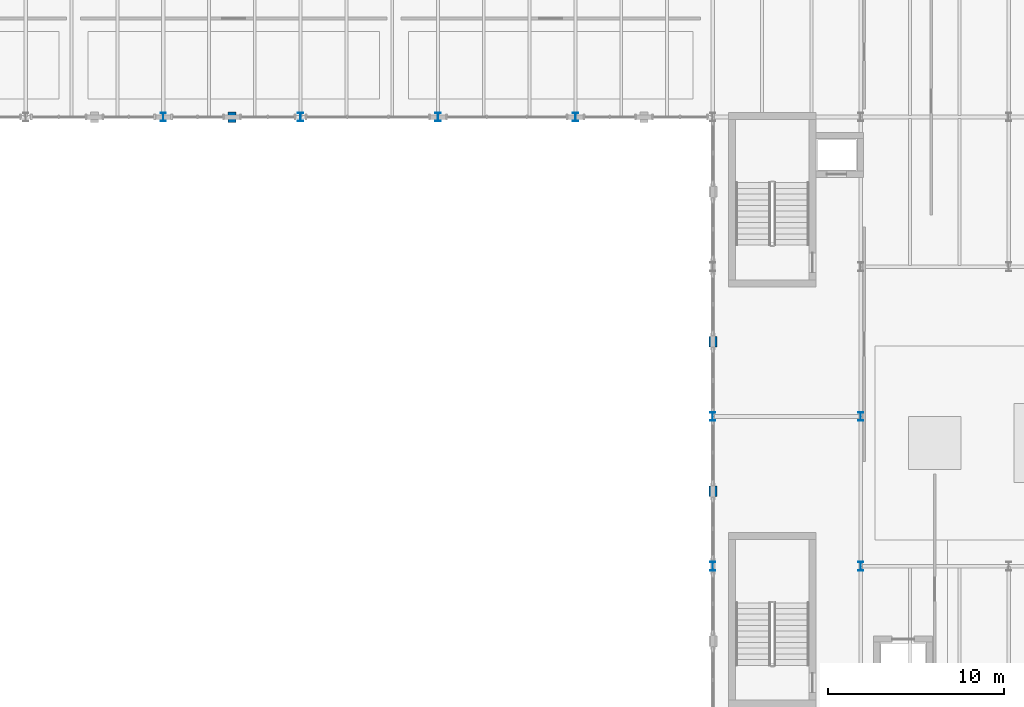
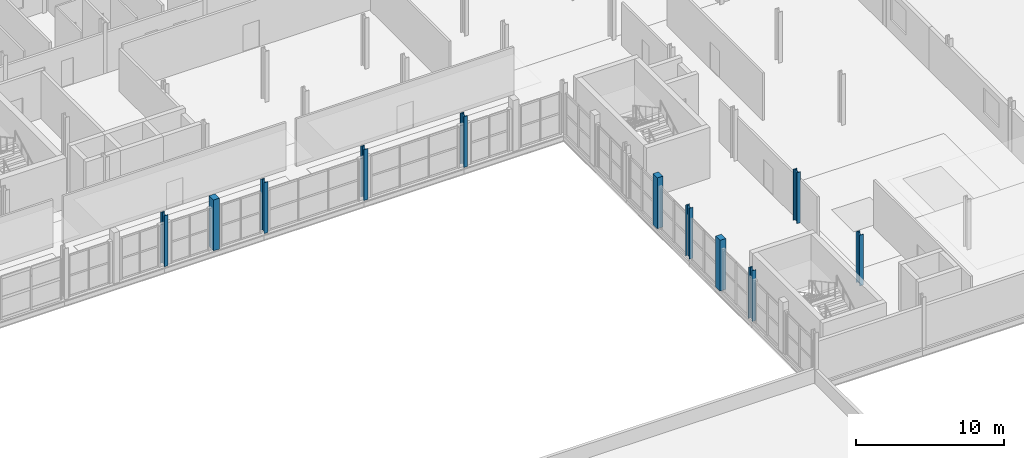
# One storey, part 6 of 58: 11 columns.
"""IFC4 building model written with IfcOpenShell, lengths in metres."""

from ifc_helpers import new_model, si_unit, direction, frame, origin, origin_2d, place, context, subcontext, project, spatial, rectangle, i_section, extrude, material, material_profile, profile_set, type_object, element, save


model = new_model("IFC4")

# Units and contexts
model_context = context("Model", 3, precision=1e-05, world=origin(), true_north=direction((0.0, 1.0)))
body_context = subcontext(model_context, "Body", "Model", "MODEL_VIEW")
ifc_project = project(units=[si_unit("LENGTHUNIT", "METRE"), si_unit("AREAUNIT", "SQUARE_METRE"), si_unit("VOLUMEUNIT", "CUBIC_METRE"), si_unit("PLANEANGLEUNIT", "RADIAN"), si_unit("MASSUNIT", "GRAM", prefix="KILO")], contexts=[model_context])

# Site, building, storey
site_placement = place(None, origin())
site = spatial("IfcSite", under=ifc_project, at=site_placement, CompositionType="ELEMENT")
building_placement = place(site_placement, origin())
building = spatial("IfcBuilding", under=site, at=building_placement, Name="Sefraquen Railside Congress Hotel", CompositionType="ELEMENT")
storey_placement = place(building_placement, frame((0.0, 0.0, 16.199951171875)))
storey = spatial("IfcBuildingStorey", under=building, at=storey_placement, Name="L03", CompositionType="ELEMENT", Elevation=16.199951171875)

# Columns
ifc_material_1 = material(Name="Steel S355JR", Category="steel")
ifc_material_profile_1 = material_profile(ifc_material_1, i_section(OverallWidth=0.300048828125, OverallDepth=0.5, WebThickness=0.014404296875, FlangeThickness=0.028076171875, FilletRadius=0.027099609375, at=origin_2d()), Name="HEB 500")
ifc_profile_set_1 = profile_set([ifc_material_profile_1], Name="Steel S355JR")
column_type_1 = type_object("IfcColumnType", Name="TC-HEB-500", PredefinedType="COLUMN", material=ifc_profile_set_1)
for number, where, z_axis, x_axis, name in (
    (1, (72.0, 88.0, 0.0), (0.0, 0.0, 1.0), (1.0, 0.0, 0.0), "Structural column 10-L L03"),
    (2, (79.800048828125, 88.0, 0.0), (0.0, 0.0, 1.0), (1.0, 0.0, 0.0), "Structural column 11-L L03"),
    (3, (87.60009765625, 88.0, 0.0), (0.0, 0.0, 1.0), (1.0, 0.0, 0.0), "Structural column 12-L L03"),
    (4, (95.39990234375, 88.0, 0.0), (0.0, 0.0, 1.0), (1.0, 0.0, 0.0), "Structural column 13-L L03"),
    (5, (103.199951171875, 62.5, 0.0), (0.0, 0.0, 1.0), (1.0, 0.0, 0.0), "Structural column 14-H L03"),
    (6, (103.199951171875, 71.0, 0.0), (0.0, 0.0, 1.0), (1.0, 0.0, 0.0), "Structural column 14-J L03"),
    (7, (111.60009765625, 62.5, 0.0), (0.0, 0.0, 1.0), (1.0, 0.0, 0.0), "Structural column 15-H L03"),
    (8, (111.60009765625, 71.0, 0.0), (0.0, 0.0, 1.0), (1.0, 0.0, 0.0), "Structural column 15-J L03"),
):
    element("IfcColumn", number, at=place(storey_placement, frame(where, z_axis=z_axis, x_axis=x_axis)), inside=storey, type_object=column_type_1, Name=name, PredefinedType="COLUMN", context=body_context, shape_type="SweptSolid", body=[
        extrude(i_section(OverallWidth=0.300048828125, OverallDepth=0.5, WebThickness=0.014404296875, FlangeThickness=0.028076171875, FilletRadius=0.027099609375, at=origin_2d()), origin(), (0.0, 0.0, 1.0), 4.199951171875),
    ])
ifc_material_2 = material(Name="Concrete C50/60", Category="concrete")
ifc_material_profile_2 = material_profile(ifc_material_2, rectangle(XDim=0.449951171875, YDim=0.60009765625, at=origin_2d()), Name="RC 600x450")
ifc_profile_set_2 = profile_set([ifc_material_profile_2], Name="Concrete C50/60")
column_type_2 = type_object("IfcColumnType", Name="TC-PIL-600", PredefinedType="PILASTER", material=ifc_profile_set_2)
for number, where, z_axis, x_axis, name in (
    (9, (103.199951171875, 66.75, 0.0), (0.0, 0.0, 1.0), (1.0, 0.0, 0.0), "Courtyard limestone pilaster CPIL-E2 L03"),
    (10, (103.199951171875, 75.25, 0.0), (0.0, 0.0, 1.0), (1.0, 0.0, 0.0), "Courtyard limestone pilaster CPIL-E3 L03"),
    (11, (75.89990234375, 88.0, 0.0), (0.0, 0.0, 1.0), (1.0, 0.0, 0.0), "Courtyard limestone pilaster CPIL-N2 L03"),
):
    element("IfcColumn", number, at=place(storey_placement, frame(where, z_axis=z_axis, x_axis=x_axis)), inside=storey, type_object=column_type_2, Name=name, PredefinedType="PILASTER", context=body_context, shape_type="SweptSolid", body=[
        extrude(rectangle(XDim=0.449951171875, YDim=0.60009765625, at=origin_2d()), origin(), (0.0, 0.0, 1.0), 4.199951171875),
    ])

save(model, "model.ifc")
